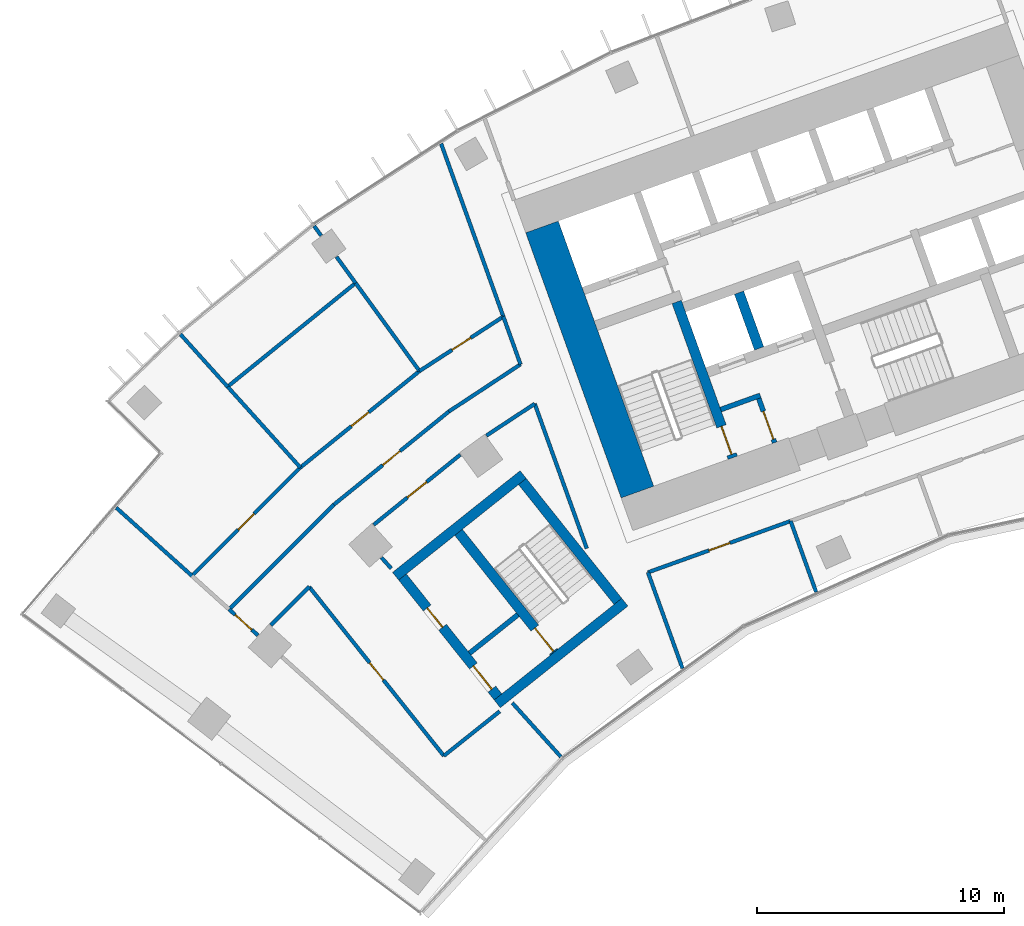
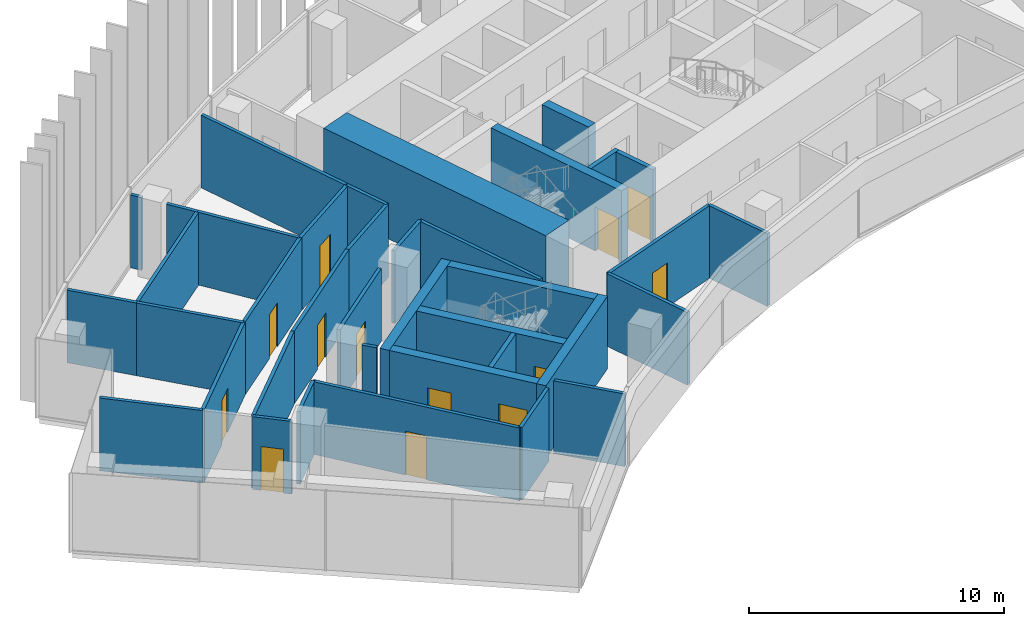
# One storey, part 15 of 22: 38 walls, 13 doors, 13 openings.
"""IFC4 building model written with IfcOpenShell, lengths in metres."""

from ifc_helpers import new_model, si_unit, direction, frame, frame_2d, origin, place, context, subcontext, project, spatial, rectangle, extrude, material, layer, layer_set, type_object, element, fill, save


model = new_model("IFC4")

# Units and contexts
model_context = context("Model", 3, precision=1e-05, world=origin(), true_north=direction((0.0, 1.0)))
body_context = subcontext(model_context, "Body", "Model", "MODEL_VIEW")
ifc_project = project(units=[si_unit("LENGTHUNIT", "METRE"), si_unit("AREAUNIT", "SQUARE_METRE"), si_unit("VOLUMEUNIT", "CUBIC_METRE"), si_unit("PLANEANGLEUNIT", "RADIAN"), si_unit("MASSUNIT", "GRAM", prefix="KILO")], contexts=[model_context])

# Site, building, storey
site_placement = place(None, origin())
site = spatial("IfcSite", under=ifc_project, at=site_placement, CompositionType="ELEMENT")
building_placement = place(site_placement, origin())
building = spatial("IfcBuilding", under=site, at=building_placement, Name="Stone Belt Terrace Tower", CompositionType="ELEMENT")
storey_placement = place(building_placement, frame((0.0, 0.0, 155.39990234375)))
storey = spatial("IfcBuildingStorey", under=building, at=storey_placement, Name="L37", CompositionType="ELEMENT", Elevation=155.39990234375)

# Walls
ifc_material_1 = material(Name="Concrete B80", Category="concrete")
ifc_layer_1 = layer(ifc_material_1, 1.39990234375)
ifc_layer_set_1 = layer_set([ifc_layer_1], Name="Core wall 1400 B80")
wall_type_1 = type_object("IfcWallType", Name="Core wall 1400 B80", PredefinedType="SHEAR", material=ifc_layer_set_1)
wall_1_placement = place(storey_placement, frame((-26.00927734375, 43.03515625, 0.0), z_axis=(0.0, 0.0, 1.0), x_axis=(-0.338625431531, 0.940921259788, 0.0)))
element("IfcWall", 1, at=wall_1_placement, inside=storey, type_object=wall_type_1, Name="Core A wall end_a L37", PredefinedType="SHEAR", context=body_context, shape_type="SweptSolid", body=[
    extrude(rectangle(XDim=11.400146484375, YDim=1.39990234375, at=frame_2d((5.7001953125, 0.0))), origin(), (0.0, 0.0, 1.0), 3.800048828125),
])
ifc_layer_2 = layer(ifc_material_1, 0.39990234375)
ifc_layer_set_2 = layer_set([ifc_layer_2], Name="Fire-fighting lift shaft wall 400")
wall_type_2 = type_object("IfcWallType", Name="Fire-fighting lift shaft wall 400", PredefinedType="SHEAR", material=ifc_layer_set_2)
wall_2_placement = place(storey_placement, frame((-21.0859375, 48.845458984375, 0.0), z_axis=(0.0, 0.0, 1.0), x_axis=(-0.338629416206, 0.940919825745, 0.0)))
element("IfcWall", 2, at=wall_2_placement, inside=storey, type_object=wall_type_2, Name="Core A wall", PredefinedType="SHEAR", context=body_context, shape_type="SweptSolid", body=[
    extrude(rectangle(XDim=2.400146484375, YDim=0.39990234375, at=frame_2d((1.2001953125, 0.0))), origin(), (0.0, 0.0, 1.0), 3.47998046875),
])
ifc_material_2 = material(Name="Gypsum board partition")
ifc_layer_3 = layer(ifc_material_2, 0.14990234375)
ifc_layer_set_3 = layer_set([ifc_layer_3], Name="PARTITION 150 EI 60")
wall_type_3 = type_object("IfcWallType", Name="PARTITION 150 EI 60", PredefinedType="PARTITIONING", material=ifc_layer_set_3)
wall_3_placement = place(storey_placement, frame((-25.5859375, 39.79296875, 0.0), z_axis=(0.0, 0.0, 1.0), x_axis=(0.338545933013, -0.940949866486, 0.0)))
element("IfcWall", 3, at=wall_3_placement, inside=storey, type_object=wall_type_3, Name="L37/wall/i001", PredefinedType="PARTITIONING", context=body_context, shape_type="SweptSolid", body=[
    extrude(rectangle(XDim=4.135009765625, YDim=0.14990234375, at=frame_2d((2.0673828125, 0.0))), origin(), (0.0, 0.0, 1.0), 3.47998046875),
])
wall_4_placement = place(storey_placement, frame((-28.05810546875, 40.75390625, 0.0), z_axis=(0.0, 0.0, 1.0), x_axis=(-0.338523697563, 0.94095786632, 0.0)))
element("IfcWall", 4, at=wall_4_placement, inside=storey, type_object=wall_type_3, Name="L37/wall/i003", PredefinedType="PARTITIONING", context=body_context, shape_type="SweptSolid", body=[
    extrude(rectangle(XDim=6.226806640625, YDim=0.14990234375, at=frame_2d((3.11328125, 0.0))), origin(), (0.0, 0.0, 1.0), 3.47998046875),
])
wall_5_placement = place(storey_placement, frame((-29.107177734375, 32.32666015625, 0.0), z_axis=(0.0, 0.0, 1.0), x_axis=(-0.669245075227, 0.74304174128, 0.0)))
element("IfcWall", 5, at=wall_5_placement, inside=storey, type_object=wall_type_3, Name="L37/wall/i004", PredefinedType="PARTITIONING", context=body_context, shape_type="SweptSolid", body=[
    extrude(rectangle(XDim=2.9345703125, YDim=0.14990234375, at=frame_2d((1.46728515625, 0.0))), origin(), (0.0, 0.0, 1.0), 3.47998046875),
])
wall_6_placement = place(storey_placement, frame((-30.737060546875, 48.197021484375, 0.0), z_axis=(0.0, 0.0, 1.0), x_axis=(-0.338522672426, 0.940958235127, 0.0)))
element("IfcWall", 6, at=wall_6_placement, inside=storey, type_object=wall_type_3, Name="L37/wall/i005", PredefinedType="PARTITIONING", context=body_context, shape_type="SweptSolid", body=[
    extrude(rectangle(XDim=2.064697265625, YDim=0.14990234375, at=frame_2d((1.0322265625, 0.0))), origin(), (0.0, 0.0, 1.0), 3.47998046875),
])
wall_7_placement = place(storey_placement, frame((-31.431884765625, 50.12890625, 0.0), z_axis=(0.0, 0.0, 1.0), x_axis=(-0.338627692375, 0.940920446136, 0.0)))
element("IfcWall", 7, at=wall_7_placement, inside=storey, type_object=wall_type_3, Name="L37/wall/i006", PredefinedType="PARTITIONING", context=body_context, shape_type="SweptSolid", body=[
    extrude(rectangle(XDim=7.44189453125, YDim=0.14990234375, at=frame_2d((3.720947265625, 0.0))), origin(), (0.0, 0.0, 1.0), 3.47998046875),
])

# Wall, opening, door
wall_8_placement = place(storey_placement, frame((-19.806884765625, 41.865966796875, 0.0), z_axis=(0.0, 0.0, 1.0), x_axis=(-0.940934038276, -0.338589922492, 0.0)))
wall_8 = element("IfcWall", 8, at=wall_8_placement, inside=storey, type_object=wall_type_3, Name="L37/wall/i012", PredefinedType="PARTITIONING", context=body_context, shape_type="SweptSolid", body=[
    extrude(rectangle(XDim=6.1396484375, YDim=0.14990234375, at=frame_2d((3.06982421875, 0.0))), origin(), (0.0, 0.0, 1.0), 3.47998046875),
])
opening_1_placement = place(wall_8_placement, frame((2.619873046875, 0.0, 0.0)))
opening_1 = element("IfcOpeningElement", 9, at=opening_1_placement, cuts=wall_8, Name="Opening D-C1-01", PredefinedType="OPENING", context=body_context, shape_type="SweptSolid", body=[
    extrude(rectangle(XDim=0.89990234375, YDim=2.10009765625, at=frame_2d((0.449951171875, 1.050048828125))), frame((0.0, 0.0849609375, 0.0), z_axis=(0.0, -1.0, 0.0), x_axis=(1.0, 0.0, 0.0)), (0.0, 0.0, 1.0), 0.169921875),
])
ifc_material_3 = material(Name="Timber door leaf", Category="wood")
door_type_1 = type_object("IfcDoorType", Name="OFFICE DOOR 900 X 2100", OperationType="NOTDEFINED", PredefinedType="DOOR", material=ifc_material_3)
door_1_placement = place(opening_1_placement, origin())
door_1 = element("IfcDoor", 10, at=door_1_placement, inside=storey, type_object=door_type_1, Name="L37/door/i01", OperationType="SINGLE_SWING_RIGHT", OverallHeight=2.10009765625, OverallWidth=0.89990234375, PredefinedType="DOOR", context=body_context, shape_type="SweptSolid", body=[
    extrude(rectangle(XDim=0.89990234375, YDim=2.10009765625, at=frame_2d((0.449951171875, 1.050048828125))), frame((0.0, 0.02490234375, 0.0), z_axis=(0.0, -1.0, 0.0), x_axis=(1.0, 0.0, 0.0)), (0.0, 0.0, 1.0), 0.050048828125),
])
fill(opening_1, door_1)

# Wall
wall_9_placement = place(storey_placement, frame((-19.81298828125, 41.864013671875, 0.0), z_axis=(0.0, 0.0, 1.0), x_axis=(0.33852104262, -0.940958821471, 0.0)))
element("IfcWall", 11, at=wall_9_placement, inside=storey, type_object=wall_type_3, Name="L37/wall/i016", PredefinedType="PARTITIONING", context=body_context, shape_type="SweptSolid", body=[
    extrude(rectangle(XDim=3.050048828125, YDim=0.14990234375, at=frame_2d((1.52490234375, 0.0))), origin(), (0.0, 0.0, 1.0), 3.47998046875),
])

# Wall, opening, door
wall_10_placement = place(storey_placement, frame((-41.35986328125, 37.240478515625, 0.0), z_axis=(0.0, 0.0, 1.0), x_axis=(-0.742885543222, 0.669418456327, 0.0)))
wall_10 = element("IfcWall", 12, at=wall_10_placement, inside=storey, type_object=wall_type_3, Name="L37/wall/i040", PredefinedType="PARTITIONING", context=body_context, shape_type="SweptSolid", body=[
    extrude(rectangle(XDim=1.5751953125, YDim=0.14990234375, at=frame_2d((0.78759765625, 0.0))), origin(), (0.0, 0.0, 1.0), 3.47998046875),
])
opening_2_placement = place(wall_10_placement, frame((0.337646484375, 0.0, 0.0)))
opening_2 = element("IfcOpeningElement", 13, at=opening_2_placement, cuts=wall_10, Name="Opening D-C1-13", PredefinedType="OPENING", context=body_context, shape_type="SweptSolid", body=[
    extrude(rectangle(XDim=0.89990234375, YDim=2.10009765625, at=frame_2d((0.449951171875, 1.050048828125))), frame((0.0, 0.0849609375, 0.0), z_axis=(0.0, -1.0, 0.0), x_axis=(1.0, 0.0, 0.0)), (0.0, 0.0, 1.0), 0.169921875),
])
door_2_placement = place(opening_2_placement, origin())
door_2 = element("IfcDoor", 14, at=door_2_placement, inside=storey, type_object=door_type_1, Name="L37/door/i13", OperationType="SINGLE_SWING_RIGHT", OverallHeight=2.10009765625, OverallWidth=0.89990234375, PredefinedType="DOOR", context=body_context, shape_type="SweptSolid", body=[
    extrude(rectangle(XDim=0.89990234375, YDim=2.10009765625, at=frame_2d((0.449951171875, 1.050048828125))), frame((0.0, 0.02490234375, 0.0), z_axis=(0.0, -1.0, 0.0), x_axis=(1.0, 0.0, 0.0)), (0.0, 0.0, 1.0), 0.050048828125),
])
fill(opening_2, door_2)

# Walls
wall_11_placement = place(storey_placement, frame((-47.09228515625, 42.40283203125, 0.0), z_axis=(0.0, 0.0, 1.0), x_axis=(0.743164720572, -0.669108509958, 0.0)))
element("IfcWall", 15, at=wall_11_placement, inside=storey, type_object=wall_type_3, Name="L37/wall/i043", PredefinedType="PARTITIONING", context=body_context, shape_type="SweptSolid", body=[
    extrude(rectangle(XDim=4.12744140625, YDim=0.14990234375, at=frame_2d((2.063720703125, 0.0))), origin(), (0.0, 0.0, 1.0), 3.47998046875),
])
wall_12_placement = place(storey_placement, frame((-30.1640625, 46.60693359375, 0.0), z_axis=(0.0, 0.0, 1.0), x_axis=(-0.835406992815, -0.549631837102, 0.0)))
element("IfcWall", 16, at=wall_12_placement, inside=storey, type_object=wall_type_3, Name="L37/wall/i044", PredefinedType="PARTITIONING", context=body_context, shape_type="SweptSolid", body=[
    extrude(rectangle(XDim=2.339111328125, YDim=0.14990234375, at=frame_2d((1.16943359375, 0.0))), origin(), (0.0, 0.0, 1.0), 3.47998046875),
])

# Wall, opening, door
wall_13_placement = place(storey_placement, frame((-33.17578125, 44.548095703125, 0.0), z_axis=(0.0, 0.0, 1.0), x_axis=(-0.777148951547, -0.629316698578, 0.0)))
wall_13 = element("IfcWall", 17, at=wall_13_placement, inside=storey, type_object=wall_type_3, Name="L37/wall/i045", PredefinedType="PARTITIONING", context=body_context, shape_type="SweptSolid", body=[
    extrude(rectangle(XDim=4.505126953125, YDim=0.14990234375, at=frame_2d((2.25244140625, 0.0))), origin(), (0.0, 0.0, 1.0), 3.47998046875),
])
opening_3_placement = place(wall_13_placement, frame((1.752685546875, 0.0, 0.0)))
opening_3 = element("IfcOpeningElement", 18, at=opening_3_placement, cuts=wall_13, Name="Opening D-C1-14", PredefinedType="OPENING", context=body_context, shape_type="SweptSolid", body=[
    extrude(rectangle(XDim=1.0, YDim=2.10009765625, at=frame_2d((0.5, 1.050048828125))), frame((0.0, 0.0849609375, 0.0), z_axis=(0.0, -1.0, 0.0), x_axis=(1.0, 0.0, 0.0)), (0.0, 0.0, 1.0), 0.169921875),
])
ifc_material_4 = material(Name="Timber fire door leaf", Category="wood")
door_type_2 = type_object("IfcDoorType", Name="TENANCY ENTRANCE DOOR 1000 X 2100", OperationType="NOTDEFINED", PredefinedType="DOOR", material=ifc_material_4)
door_3_placement = place(opening_3_placement, origin())
door_3 = element("IfcDoor", 19, at=door_3_placement, inside=storey, type_object=door_type_2, Name="L37/door/i14", OperationType="SINGLE_SWING_RIGHT", OverallHeight=2.10009765625, OverallWidth=1.0, PredefinedType="DOOR", context=body_context, shape_type="SweptSolid", body=[
    extrude(rectangle(XDim=1.0, YDim=2.10009765625, at=frame_2d((0.5, 1.050048828125))), frame((0.0, 0.02490234375, 0.0), z_axis=(0.0, -1.0, 0.0), x_axis=(1.0, 0.0, 0.0)), (0.0, 0.0, 1.0), 0.050048828125),
])
fill(opening_3, door_3)

# Walls
wall_14_placement = place(storey_placement, frame((-39.281982421875, 39.205078125, 0.0), z_axis=(0.0, 0.0, 1.0), x_axis=(-0.707106781187, -0.707106781187, 0.0)))
element("IfcWall", 20, at=wall_14_placement, inside=storey, type_object=wall_type_3, Name="L37/wall/i046", PredefinedType="PARTITIONING", context=body_context, shape_type="SweptSolid", body=[
    extrude(rectangle(XDim=2.1982421875, YDim=0.14990234375, at=frame_2d((1.09912109375, 0.0))), origin(), (0.0, 0.0, 1.0), 3.47998046875),
])
wall_15_placement = place(storey_placement, frame((-42.52587890625, 38.291015625, 0.0), z_axis=(0.0, 0.0, 1.0), x_axis=(0.707106781187, 0.707106781187, 0.0)))
element("IfcWall", 21, at=wall_15_placement, inside=storey, type_object=wall_type_3, Name="L37/wall/i047", PredefinedType="PARTITIONING", context=body_context, shape_type="SweptSolid", body=[
    extrude(rectangle(XDim=5.989013671875, YDim=0.14990234375, at=frame_2d((2.99462890625, 0.0))), origin(), (0.0, 0.0, 1.0), 3.47998046875),
])

# Wall, opening, door
wall_16_placement = place(storey_placement, frame((-38.291015625, 42.52587890625, 0.0), z_axis=(0.0, 0.0, 1.0), x_axis=(0.777109127033, 0.629365875054, 0.0)))
wall_16 = element("IfcWall", 22, at=wall_16_placement, inside=storey, type_object=wall_type_3, Name="L37/wall/i048", PredefinedType="PARTITIONING", context=body_context, shape_type="SweptSolid", body=[
    extrude(rectangle(XDim=5.990234375, YDim=0.14990234375, at=frame_2d((2.9951171875, 0.0))), origin(), (0.0, 0.0, 1.0), 3.47998046875),
])
opening_4_placement = place(wall_16_placement, frame((2.545166015625, 0.0, 0.0)))
opening_4 = element("IfcOpeningElement", 23, at=opening_4_placement, cuts=wall_16, Name="Opening D-C1-16", PredefinedType="OPENING", context=body_context, shape_type="SweptSolid", body=[
    extrude(rectangle(XDim=0.89990234375, YDim=2.10009765625, at=frame_2d((0.449951171875, 1.050048828125))), frame((0.0, 0.0849609375, 0.0), z_axis=(0.0, -1.0, 0.0), x_axis=(1.0, 0.0, 0.0)), (0.0, 0.0, 1.0), 0.169921875),
])
door_4_placement = place(opening_4_placement, origin())
door_4 = element("IfcDoor", 24, at=door_4_placement, inside=storey, type_object=door_type_1, Name="L37/door/i16", OperationType="SINGLE_SWING_RIGHT", OverallHeight=2.10009765625, OverallWidth=0.89990234375, PredefinedType="DOOR", context=body_context, shape_type="SweptSolid", body=[
    extrude(rectangle(XDim=0.89990234375, YDim=2.10009765625, at=frame_2d((0.449951171875, 1.050048828125))), frame((0.0, 0.02490234375, 0.0), z_axis=(0.0, -1.0, 0.0), x_axis=(1.0, 0.0, 0.0)), (0.0, 0.0, 1.0), 0.050048828125),
])
fill(opening_4, door_4)

# Walls
wall_17_placement = place(storey_placement, frame((-33.635986328125, 46.2958984375, 0.0), z_axis=(0.0, 0.0, 1.0), x_axis=(0.835274160171, 0.549833681535, 0.0)))
element("IfcWall", 25, at=wall_17_placement, inside=storey, type_object=wall_type_3, Name="L37/wall/i049", PredefinedType="PARTITIONING", context=body_context, shape_type="SweptSolid", body=[
    extrude(rectangle(XDim=3.46826171875, YDim=0.14990234375, at=frame_2d((1.734130859375, 0.0))), origin(), (0.0, 0.0, 1.0), 3.47998046875),
])
wall_18_placement = place(storey_placement, frame((-36.364013671875, 40.38623046875, 0.0), z_axis=(0.0, 0.0, 1.0), x_axis=(0.668964731622, -0.743294146247, 0.0)))
element("IfcWall", 26, at=wall_18_placement, inside=storey, type_object=wall_type_3, Name="L37/wall/i050", PredefinedType="PARTITIONING", context=body_context, shape_type="SweptSolid", body=[
    extrude(rectangle(XDim=0.597900390625, YDim=0.14990234375, at=frame_2d((0.298828125, 0.0))), origin(), (0.0, 0.0, 1.0), 3.47998046875),
])
wall_19_placement = place(storey_placement, frame((-31.58203125, 34.1640625, 0.0), z_axis=(0.0, 0.0, 1.0), x_axis=(-0.78211299795, -0.623136629029, 0.0)))
element("IfcWall", 27, at=wall_19_placement, inside=storey, type_object=wall_type_3, Name="L37/wall/i051", PredefinedType="PARTITIONING", context=body_context, shape_type="SweptSolid", body=[
    extrude(rectangle(XDim=2.88720703125, YDim=0.14990234375, at=frame_2d((1.443603515625, 0.0))), origin(), (0.0, 0.0, 1.0), 3.47998046875),
])

# Wall, opening, door
wall_20_placement = place(storey_placement, frame((-33.841064453125, 32.365966796875, 0.0), z_axis=(0.0, 0.0, 1.0), x_axis=(-0.623078744687, 0.782159112917, 0.0)))
wall_20 = element("IfcWall", 28, at=wall_20_placement, inside=storey, type_object=wall_type_3, Name="L37/wall/i052", PredefinedType="PARTITIONING", context=body_context, shape_type="SweptSolid", body=[
    extrude(rectangle(XDim=8.738525390625, YDim=0.14990234375, at=frame_2d((4.369140625, 0.0))), origin(), (0.0, 0.0, 1.0), 3.47998046875),
])
opening_5_placement = place(wall_20_placement, frame((3.91943359375, 0.0, 0.0)))
opening_5 = element("IfcOpeningElement", 29, at=opening_5_placement, cuts=wall_20, Name="Opening D-C1-15", PredefinedType="OPENING", context=body_context, shape_type="SweptSolid", body=[
    extrude(rectangle(XDim=0.89990234375, YDim=2.10009765625, at=frame_2d((0.449951171875, 1.050048828125))), frame((0.0, 0.0849609375, 0.0), z_axis=(0.0, -1.0, 0.0), x_axis=(1.0, 0.0, 0.0)), (0.0, 0.0, 1.0), 0.169921875),
])
door_5_placement = place(opening_5_placement, origin())
door_5 = element("IfcDoor", 30, at=door_5_placement, inside=storey, type_object=door_type_1, Name="L37/door/i15", OperationType="SINGLE_SWING_RIGHT", OverallHeight=2.10009765625, OverallWidth=0.89990234375, PredefinedType="DOOR", context=body_context, shape_type="SweptSolid", body=[
    extrude(rectangle(XDim=0.89990234375, YDim=2.10009765625, at=frame_2d((0.449951171875, 1.050048828125))), frame((0.0, 0.02490234375, 0.0), z_axis=(0.0, -1.0, 0.0), x_axis=(1.0, 0.0, 0.0)), (0.0, 0.0, 1.0), 0.050048828125),
])
fill(opening_5, door_5)

wall_21_placement = place(storey_placement, frame((-44.029052734375, 39.64501953125, 0.0), z_axis=(0.0, 0.0, 1.0), x_axis=(0.707106781187, 0.707106781187, 0.0)))
wall_21 = element("IfcWall", 31, at=wall_21_placement, inside=storey, type_object=wall_type_3, Name="L37/wall/i053", PredefinedType="PARTITIONING", context=body_context, shape_type="SweptSolid", body=[
    extrude(rectangle(XDim=6.201416015625, YDim=0.14990234375, at=frame_2d((3.1005859375, 0.0))), origin(), (0.0, 0.0, 1.0), 3.47998046875),
])
opening_6_placement = place(wall_21_placement, frame((2.650634765625, 0.0, 0.0)))
opening_6 = element("IfcOpeningElement", 32, at=opening_6_placement, cuts=wall_21, Name="Opening D-C1-17", PredefinedType="OPENING", context=body_context, shape_type="SweptSolid", body=[
    extrude(rectangle(XDim=0.89990234375, YDim=2.10009765625, at=frame_2d((0.449951171875, 1.050048828125))), frame((0.0, 0.0849609375, 0.0), z_axis=(0.0, -1.0, 0.0), x_axis=(1.0, 0.0, 0.0)), (0.0, 0.0, 1.0), 0.169921875),
])
door_6_placement = place(opening_6_placement, origin())
door_6 = element("IfcDoor", 33, at=door_6_placement, inside=storey, type_object=door_type_1, Name="L37/door/i17", OperationType="SINGLE_SWING_RIGHT", OverallHeight=2.10009765625, OverallWidth=0.89990234375, PredefinedType="DOOR", context=body_context, shape_type="SweptSolid", body=[
    extrude(rectangle(XDim=0.89990234375, YDim=2.10009765625, at=frame_2d((0.449951171875, 1.050048828125))), frame((0.0, 0.02490234375, 0.0), z_axis=(0.0, -1.0, 0.0), x_axis=(1.0, 0.0, 0.0)), (0.0, 0.0, 1.0), 0.050048828125),
])
fill(opening_6, door_6)

wall_22_placement = place(storey_placement, frame((-39.64404296875, 44.030029296875, 0.0), z_axis=(0.0, 0.0, 1.0), x_axis=(0.777190769916, 0.629265053184, 0.0)))
wall_22 = element("IfcWall", 34, at=wall_22_placement, inside=storey, type_object=wall_type_3, Name="L37/wall/i054", PredefinedType="PARTITIONING", context=body_context, shape_type="SweptSolid", body=[
    extrude(rectangle(XDim=6.20068359375, YDim=0.14990234375, at=frame_2d((3.100341796875, 0.0))), origin(), (0.0, 0.0, 1.0), 3.47998046875),
])
opening_7_placement = place(wall_22_placement, frame((2.650390625, 0.0, 0.0)))
opening_7 = element("IfcOpeningElement", 35, at=opening_7_placement, cuts=wall_22, Name="Opening D-C1-18", PredefinedType="OPENING", context=body_context, shape_type="SweptSolid", body=[
    extrude(rectangle(XDim=0.89990234375, YDim=2.10009765625, at=frame_2d((0.449951171875, 1.050048828125))), frame((0.0, 0.0849609375, 0.0), z_axis=(0.0, -1.0, 0.0), x_axis=(1.0, 0.0, 0.0)), (0.0, 0.0, 1.0), 0.169921875),
])
door_7_placement = place(opening_7_placement, origin())
door_7 = element("IfcDoor", 36, at=door_7_placement, inside=storey, type_object=door_type_1, Name="L37/door/i18", OperationType="SINGLE_SWING_RIGHT", OverallHeight=2.10009765625, OverallWidth=0.89990234375, PredefinedType="DOOR", context=body_context, shape_type="SweptSolid", body=[
    extrude(rectangle(XDim=0.89990234375, YDim=2.10009765625, at=frame_2d((0.449951171875, 1.050048828125))), frame((0.0, 0.02490234375, 0.0), z_axis=(0.0, -1.0, 0.0), x_axis=(1.0, 0.0, 0.0)), (0.0, 0.0, 1.0), 0.050048828125),
])
fill(opening_7, door_7)

wall_23_placement = place(storey_placement, frame((-34.824951171875, 47.931884765625, 0.0), z_axis=(0.0, 0.0, 1.0), x_axis=(0.838660143757, 0.544655086521, 0.0)))
wall_23 = element("IfcWall", 37, at=wall_23_placement, inside=storey, type_object=wall_type_3, Name="L37/wall/i055", PredefinedType="PARTITIONING", context=body_context, shape_type="SweptSolid", body=[
    extrude(rectangle(XDim=4.043212890625, YDim=0.14990234375, at=frame_2d((2.021484375, 0.0))), origin(), (0.0, 0.0, 1.0), 3.47998046875),
])
opening_8_placement = place(wall_23_placement, frame((1.571533203125, 0.0, 0.0)))
opening_8 = element("IfcOpeningElement", 38, at=opening_8_placement, cuts=wall_23, Name="Opening D-C1-19", PredefinedType="OPENING", context=body_context, shape_type="SweptSolid", body=[
    extrude(rectangle(XDim=0.89990234375, YDim=2.10009765625, at=frame_2d((0.449951171875, 1.050048828125))), frame((0.0, 0.0849609375, 0.0), z_axis=(0.0, -1.0, 0.0), x_axis=(1.0, 0.0, 0.0)), (0.0, 0.0, 1.0), 0.169921875),
])
door_8_placement = place(opening_8_placement, origin())
door_8 = element("IfcDoor", 39, at=door_8_placement, inside=storey, type_object=door_type_1, Name="L37/door/i19", OperationType="SINGLE_SWING_RIGHT", OverallHeight=2.10009765625, OverallWidth=0.89990234375, PredefinedType="DOOR", context=body_context, shape_type="SweptSolid", body=[
    extrude(rectangle(XDim=0.89990234375, YDim=2.10009765625, at=frame_2d((0.449951171875, 1.050048828125))), frame((0.0, 0.02490234375, 0.0), z_axis=(0.0, -1.0, 0.0), x_axis=(1.0, 0.0, 0.0)), (0.0, 0.0, 1.0), 0.050048828125),
])
fill(opening_8, door_8)

# Walls
wall_24_placement = place(storey_placement, frame((-42.592041015625, 47.302978515625, 0.0), z_axis=(0.0, 0.0, 1.0), x_axis=(0.669258646934, -0.74302951725, 0.0)))
element("IfcWall", 40, at=wall_24_placement, inside=storey, type_object=wall_type_3, Name="L37/wall/i056", PredefinedType="PARTITIONING", context=body_context, shape_type="SweptSolid", body=[
    extrude(rectangle(XDim=4.40478515625, YDim=0.14990234375, at=frame_2d((2.202392578125, 0.0))), origin(), (0.0, 0.0, 1.0), 3.47998046875),
])
wall_25_placement = place(storey_placement, frame((-44.496826171875, 49.41943359375, 0.0), z_axis=(0.0, 0.0, 1.0), x_axis=(0.66894586308, -0.743311127502, 0.0)))
element("IfcWall", 41, at=wall_25_placement, inside=storey, type_object=wall_type_3, Name="L37/wall/i057", PredefinedType="PARTITIONING", context=body_context, shape_type="SweptSolid", body=[
    extrude(rectangle(XDim=2.859375, YDim=0.14990234375, at=frame_2d((1.4296875, 0.0))), origin(), (0.0, 0.0, 1.0), 3.47998046875),
])
wall_26_placement = place(storey_placement, frame((-42.587890625, 47.299072265625, 0.0), z_axis=(0.0, 0.0, 1.0), x_axis=(0.777100621569, 0.629376377025, 0.0)))
element("IfcWall", 42, at=wall_26_placement, inside=storey, type_object=wall_type_3, Name="L37/wall/i058", PredefinedType="PARTITIONING", context=body_context, shape_type="SweptSolid", body=[
    extrude(rectangle(XDim=6.661865234375, YDim=0.14990234375, at=frame_2d((3.3310546875, 0.0))), origin(), (0.0, 0.0, 1.0), 3.47998046875),
])
wall_27_placement = place(storey_placement, frame((-37.410888671875, 51.491943359375, 0.0), z_axis=(0.0, 0.0, 1.0), x_axis=(0.587696525109, -0.809081451014, 0.0)))
element("IfcWall", 43, at=wall_27_placement, inside=storey, type_object=wall_type_3, Name="L37/wall/i059", PredefinedType="PARTITIONING", context=body_context, shape_type="SweptSolid", body=[
    extrude(rectangle(XDim=4.400146484375, YDim=0.14990234375, at=frame_2d((2.2001953125, 0.0))), origin(), (0.0, 0.0, 1.0), 3.47998046875),
])
wall_28_placement = place(storey_placement, frame((-39.087890625, 53.7998046875, 0.0), z_axis=(0.0, 0.0, 1.0), x_axis=(0.587839914735, -0.808977276964, 0.0)))
element("IfcWall", 44, at=wall_28_placement, inside=storey, type_object=wall_type_3, Name="L37/wall/i060", PredefinedType="PARTITIONING", context=body_context, shape_type="SweptSolid", body=[
    extrude(rectangle(XDim=0.4814453125, YDim=0.14990234375, at=frame_2d((0.24072265625, 0.0))), origin(), (0.0, 0.0, 1.0), 3.47998046875),
])
wall_29_placement = place(storey_placement, frame((-38.181884765625, 52.552978515625, 0.0), z_axis=(0.0, 0.0, 1.0), x_axis=(0.587839609229, -0.808977498958, 0.0)))
element("IfcWall", 45, at=wall_29_placement, inside=storey, type_object=wall_type_3, Name="L37/wall/i061", PredefinedType="PARTITIONING", context=body_context, shape_type="SweptSolid", body=[
    extrude(rectangle(XDim=1.3115234375, YDim=0.14990234375, at=frame_2d((0.65576171875, 0.0))), origin(), (0.0, 0.0, 1.0), 3.47998046875),
])
ifc_material_5 = material(Name="Concrete masonry block", Category="masonry")
ifc_layer_4 = layer(ifc_material_5, 0.199951171875)
ifc_layer_set_4 = layer_set([ifc_layer_4], Name="Rated lobby wall 200")
wall_type_4 = type_object("IfcWallType", Name="Rated lobby wall 200", PredefinedType="PARTITIONING", material=ifc_layer_set_4)
wall_30_placement = place(storey_placement, frame((-22.640625, 46.373046875, 0.0), z_axis=(0.0, 0.0, 1.0), x_axis=(0.940966110313, 0.338500781747, 0.0)))
element("IfcWall", 46, at=wall_30_placement, inside=storey, type_object=wall_type_4, Name="Core A wall", PredefinedType="PARTITIONING", context=body_context, shape_type="SweptSolid", body=[
    extrude(rectangle(XDim=1.699951171875, YDim=0.199951171875, at=frame_2d((0.85009765625, 0.0))), origin(), (0.0, 0.0, 1.0), 3.47998046875),
])

# Wall, opening, door
wall_31_placement = place(storey_placement, frame((-20.4580078125, 45.032958984375, 0.0), z_axis=(0.0, 0.0, 1.0), x_axis=(-0.338573865316, 0.940939816208, 0.0)))
wall_31 = element("IfcWall", 47, at=wall_31_placement, inside=storey, type_object=wall_type_4, Name="Core A wall", PredefinedType="PARTITIONING", context=body_context, shape_type="SweptSolid", body=[
    extrude(rectangle(XDim=1.900146484375, YDim=0.199951171875, at=frame_2d((0.9501953125, 0.0))), origin(), (0.0, 0.0, 1.0), 3.47998046875),
])
opening_9_placement = place(wall_31_placement, frame((0.14990234375, 0.0, 0.0)))
opening_9 = element("IfcOpeningElement", 48, at=opening_9_placement, cuts=wall_31, Name="Opening L37-C06", PredefinedType="OPENING", context=body_context, shape_type="SweptSolid", body=[
    extrude(rectangle(XDim=1.199951171875, YDim=2.10009765625, at=frame_2d((0.60009765625, 1.050048828125))), frame((0.0, 0.10986328125, 0.0), z_axis=(0.0, -1.0, 0.0), x_axis=(1.0, 0.0, 0.0)), (0.0, 0.0, 1.0), 0.219970703125),
])
ifc_material_6 = material(Name="Steel door leaf", Category="steel")
door_type_3 = type_object("IfcDoorType", Name="Stair door 1200", OperationType="SINGLE_SWING_LEFT", PredefinedType="DOOR", material=ifc_material_6)
door_9_placement = place(opening_9_placement, origin())
door_9 = element("IfcDoor", 49, at=door_9_placement, inside=storey, type_object=door_type_3, Name="Stair airlock door core A", OperationType="SINGLE_SWING_LEFT", OverallHeight=2.10009765625, OverallWidth=1.199951171875, PredefinedType="DOOR", context=body_context, shape_type="SweptSolid", body=[
    extrude(rectangle(XDim=1.199951171875, YDim=2.10009765625, at=frame_2d((0.60009765625, 1.050048828125))), frame((0.0, 0.02490234375, 0.0), z_axis=(0.0, -1.0, 0.0), x_axis=(1.0, 0.0, 0.0)), (0.0, 0.0, 1.0), 0.050048828125),
])
fill(opening_9, door_9)

# Wall
wall_32_placement = place(storey_placement, frame((-30.845703125, 38.074951171875, 0.0), z_axis=(0.0, 0.0, 1.0), x_axis=(-0.782115323833, -0.623133709749, 0.0)))
element("IfcWall", 50, at=wall_32_placement, inside=storey, type_object=wall_type_4, Name="Exit stair ST3A wall", PredefinedType="PARTITIONING", context=body_context, shape_type="SweptSolid", body=[
    extrude(rectangle(XDim=2.5, YDim=0.199951171875, at=frame_2d((1.25, 0.0))), origin(), (0.0, 0.0, 1.0), 3.47998046875),
])

# Wall, opening, door
ifc_layer_5 = layer(ifc_material_1, 0.39990234375)
ifc_layer_set_5 = layer_set([ifc_layer_5], Name="Stair enclosure wall 400")
wall_type_5 = type_object("IfcWallType", Name="Stair enclosure wall 400", PredefinedType="SHEAR", material=ifc_layer_set_5)
wall_33_placement = place(storey_placement, frame((-22.151611328125, 44.42333984375, 0.0), z_axis=(0.0, 0.0, 1.0), x_axis=(-0.338625272931, 0.940921316866, 0.0)))
wall_33 = element("IfcWall", 51, at=wall_33_placement, inside=storey, type_object=wall_type_5, Name="Core A wall", PredefinedType="SHEAR", context=body_context, shape_type="SweptSolid", body=[
    extrude(rectangle(XDim=6.699951171875, YDim=0.39990234375, at=frame_2d((3.35009765625, 0.0))), origin(), (0.0, 0.0, 1.0), 3.47998046875),
])
opening_10_placement = place(wall_33_placement, frame((0.14990234375, 0.0, 0.0)))
opening_10 = element("IfcOpeningElement", 52, at=opening_10_placement, cuts=wall_33, Name="Opening L37-C05", PredefinedType="OPENING", context=body_context, shape_type="SweptSolid", body=[
    extrude(rectangle(XDim=1.199951171875, YDim=2.10009765625, at=frame_2d((0.60009765625, 1.050048828125))), frame((0.0, 0.2099609375, 0.0), z_axis=(0.0, -1.0, 0.0), x_axis=(1.0, 0.0, 0.0)), (0.0, 0.0, 1.0), 0.419921875),
])
door_10_placement = place(opening_10_placement, origin())
door_10 = element("IfcDoor", 53, at=door_10_placement, inside=storey, type_object=door_type_3, Name="Stair 1 door core A", OperationType="SINGLE_SWING_LEFT", OverallHeight=2.10009765625, OverallWidth=1.199951171875, PredefinedType="DOOR", context=body_context, shape_type="SweptSolid", body=[
    extrude(rectangle(XDim=1.199951171875, YDim=2.10009765625, at=frame_2d((0.60009765625, 1.050048828125))), frame((0.0, 0.02490234375, 0.0), z_axis=(0.0, -1.0, 0.0), x_axis=(1.0, 0.0, 0.0)), (0.0, 0.0, 1.0), 0.050048828125),
])
fill(opening_10, door_10)

# Walls
for number, where, z_axis, x_axis, name in (
    (54, (-26.518798828125, 38.58154296875, 0.0), (0.0, 0.0, 1.0), (-0.782133914161, -0.623110375711, 0.0), "Exit stair ST3A wall"),
    (55, (-30.63134765625, 43.74365234375, 0.0), (0.0, 0.0, 1.0), (-0.782133914161, -0.623110375711, 0.0), "Exit stair ST3A wall"),
):
    element("IfcWall", number, at=place(storey_placement, frame(where, z_axis=z_axis, x_axis=x_axis)), inside=storey, type_object=wall_type_5, Name=name, PredefinedType="SHEAR", context=body_context, shape_type="SweptSolid", body=[
        extrude(rectangle(XDim=6.60009765625, YDim=0.39990234375, at=frame_2d((3.300048828125, 0.0))), origin(), (0.0, 0.0, 1.0), 3.47998046875),
    ])
wall_34_placement = place(storey_placement, frame((-26.7998046875, 38.61328125, 0.0), z_axis=(0.0, 0.0, 1.0), x_axis=(-0.623118653668, 0.782127319208, 0.0)))
element("IfcWall", 56, at=wall_34_placement, inside=storey, type_object=wall_type_5, Name="Exit stair ST3A wall", PredefinedType="SHEAR", context=body_context, shape_type="SweptSolid", body=[
    extrude(rectangle(XDim=6.199951171875, YDim=0.39990234375, at=frame_2d((3.10009765625, 0.0))), origin(), (0.0, 0.0, 1.0), 3.47998046875),
])

# Wall, openings, doors
wall_35_placement = place(storey_placement, frame((-31.64892578125, 34.75, 0.0), z_axis=(0.0, 0.0, 1.0), x_axis=(-0.623118653668, 0.782127319208, 0.0)))
wall_35 = element("IfcWall", 57, at=wall_35_placement, inside=storey, type_object=wall_type_5, Name="Exit stair ST3A wall", PredefinedType="SHEAR", context=body_context, shape_type="SweptSolid", body=[
    extrude(rectangle(XDim=6.199951171875, YDim=0.39990234375, at=frame_2d((3.10009765625, 0.0))), origin(), (0.0, 0.0, 1.0), 3.47998046875),
])
opening_11_placement = place(wall_35_placement, frame((0.39990234375, 0.0, 0.0)))
opening_11 = element("IfcOpeningElement", 58, at=opening_11_placement, cuts=wall_35, Name="Opening L37-C24", PredefinedType="OPENING", context=body_context, shape_type="SweptSolid", body=[
    extrude(rectangle(XDim=1.199951171875, YDim=2.10009765625, at=frame_2d((0.60009765625, 1.050048828125))), frame((0.0, 0.2099609375, 0.0), z_axis=(0.0, -1.0, 0.0), x_axis=(1.0, 0.0, 0.0)), (0.0, 0.0, 1.0), 0.419921875),
])
opening_12_placement = place(wall_35_placement, frame((3.60009765625, 0.0, 0.0)))
opening_12 = element("IfcOpeningElement", 59, at=opening_12_placement, cuts=wall_35, Name="Opening L37-C25", PredefinedType="OPENING", context=body_context, shape_type="SweptSolid", body=[
    extrude(rectangle(XDim=1.0, YDim=2.10009765625, at=frame_2d((0.5, 1.050048828125))), frame((0.0, 0.2099609375, 0.0), z_axis=(0.0, -1.0, 0.0), x_axis=(1.0, 0.0, 0.0)), (0.0, 0.0, 1.0), 0.419921875),
])
door_type_4 = type_object("IfcDoorType", Name="Core room door 1000", OperationType="SINGLE_SWING_LEFT", PredefinedType="DOOR", material=ifc_material_3)
door_11_placement = place(opening_12_placement, origin())
door_11 = element("IfcDoor", 60, at=door_11_placement, inside=storey, type_object=door_type_4, Name="Door to stair pressurisation plant room ST3A", OperationType="SINGLE_SWING_RIGHT", OverallHeight=2.10009765625, OverallWidth=1.0, PredefinedType="DOOR", context=body_context, shape_type="SweptSolid", body=[
    extrude(rectangle(XDim=1.0, YDim=2.10009765625, at=frame_2d((0.5, 1.050048828125))), frame((0.0, 0.02490234375, 0.0), z_axis=(0.0, -1.0, 0.0), x_axis=(1.0, 0.0, 0.0)), (0.0, 0.0, 1.0), 0.050048828125),
])
fill(opening_12, door_11)
door_type_5 = type_object("IfcDoorType", Name="Stair airlock door 1200", OperationType="SINGLE_SWING_LEFT", PredefinedType="DOOR", material=ifc_material_6)
door_12_placement = place(opening_11_placement, origin())
door_12 = element("IfcDoor", 61, at=door_12_placement, inside=storey, type_object=door_type_5, Name="Stair airlock door ST3A", OperationType="SINGLE_SWING_RIGHT", OverallHeight=2.10009765625, OverallWidth=1.199951171875, PredefinedType="DOOR", context=body_context, shape_type="SweptSolid", body=[
    extrude(rectangle(XDim=1.199951171875, YDim=2.10009765625, at=frame_2d((0.60009765625, 1.050048828125))), frame((0.0, 0.02490234375, 0.0), z_axis=(0.0, -1.0, 0.0), x_axis=(1.0, 0.0, 0.0)), (0.0, 0.0, 1.0), 0.050048828125),
])
fill(opening_11, door_12)

# Wall, opening, door
wall_36_placement = place(storey_placement, frame((-29.380859375, 36.556884765625, 0.0), z_axis=(0.0, 0.0, 1.0), x_axis=(-0.623099462847, 0.782142608097, 0.0)))
wall_36 = element("IfcWall", 62, at=wall_36_placement, inside=storey, type_object=wall_type_5, Name="Exit stair ST3A wall", PredefinedType="SHEAR", context=body_context, shape_type="SweptSolid", body=[
    extrude(rectangle(XDim=6.2001953125, YDim=0.39990234375, at=frame_2d((3.10009765625, 0.0))), origin(), (0.0, 0.0, 1.0), 3.47998046875),
])
opening_13_placement = place(wall_36_placement, frame((0.050048828125, 0.0, 0.0)))
opening_13 = element("IfcOpeningElement", 63, at=opening_13_placement, cuts=wall_36, Name="Opening L37-C23", PredefinedType="OPENING", context=body_context, shape_type="SweptSolid", body=[
    extrude(rectangle(XDim=1.199951171875, YDim=2.10009765625, at=frame_2d((0.60009765625, 1.050048828125))), frame((0.0, 0.2099609375, 0.0), z_axis=(0.0, -1.0, 0.0), x_axis=(1.0, 0.0, 0.0)), (0.0, 0.0, 1.0), 0.419921875),
])
door_13_placement = place(opening_13_placement, origin())
door_13 = element("IfcDoor", 64, at=door_13_placement, inside=storey, type_object=door_type_3, Name="Stair door ST3A", OperationType="SINGLE_SWING_LEFT", OverallHeight=2.10009765625, OverallWidth=1.199951171875, PredefinedType="DOOR", context=body_context, shape_type="SweptSolid", body=[
    extrude(rectangle(XDim=1.199951171875, YDim=2.10009765625, at=frame_2d((0.60009765625, 1.050048828125))), frame((0.0, 0.02490234375, 0.0), z_axis=(0.0, -1.0, 0.0), x_axis=(1.0, 0.0, 0.0)), (0.0, 0.0, 1.0), 0.050048828125),
])
fill(opening_13, door_13)

save(model, "model.ifc")
